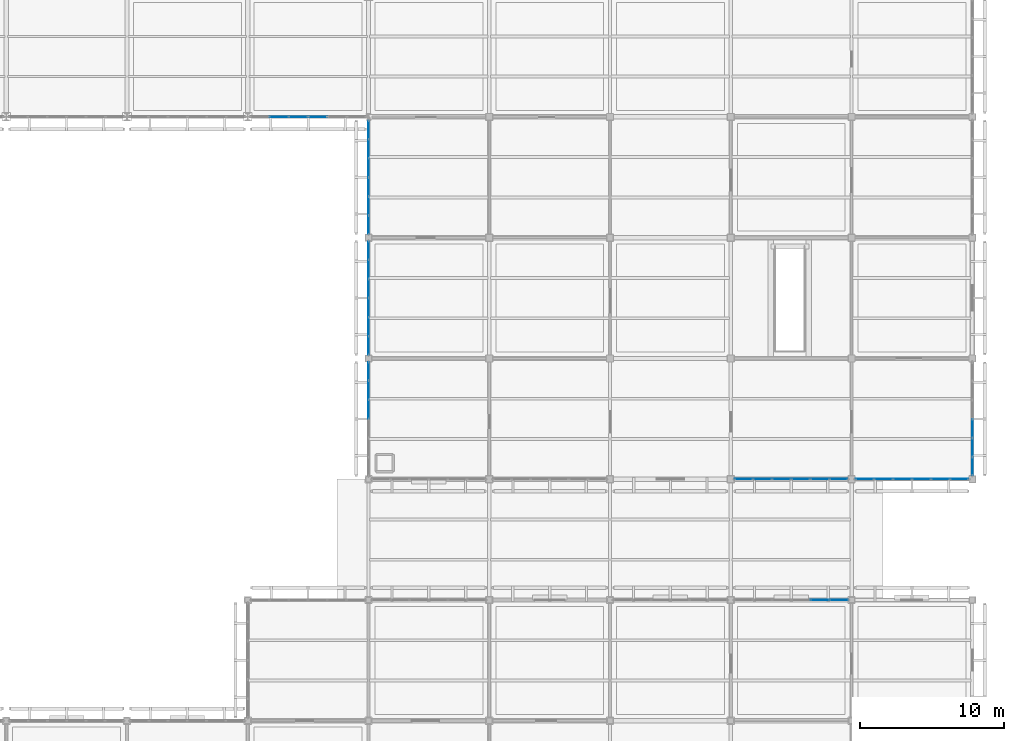
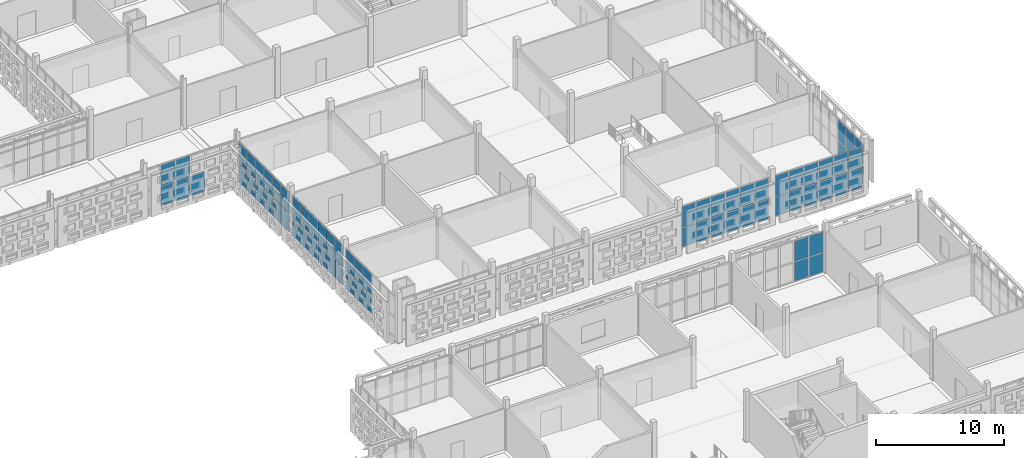
# One storey, part 105 of 203: 69 plates, 8 elements without a shape of their own.
"""IFC4 building model written with IfcOpenShell, lengths in metres."""

from ifc_helpers import new_model, si_unit, direction, frame, origin, origin_2d, place, context, subcontext, project, spatial, rectangle, extrude, material, layer, layer_set, type_object, element, aggregate, save


model = new_model("IFC4")

# Units and contexts
model_context = context("Model", 3, precision=1e-05, world=origin(), true_north=direction((0.0, 1.0)))
body_context = subcontext(model_context, "Body", "Model", "MODEL_VIEW")
ifc_project = project(units=[si_unit("LENGTHUNIT", "METRE"), si_unit("AREAUNIT", "SQUARE_METRE"), si_unit("VOLUMEUNIT", "CUBIC_METRE"), si_unit("PLANEANGLEUNIT", "RADIAN"), si_unit("MASSUNIT", "GRAM", prefix="KILO")], contexts=[model_context])

# Site, building, storey
site_placement = place(None, origin())
site = spatial("IfcSite", under=ifc_project, at=site_placement, CompositionType="ELEMENT")
building_placement = place(site_placement, origin())
building = spatial("IfcBuilding", under=site, at=building_placement, Name="Varnapada Polytechnic", CompositionType="ELEMENT")
storey_placement = place(building_placement, frame((0.0, 0.0, 4.800048828125)))
storey = spatial("IfcBuildingStorey", under=building, at=storey_placement, Name="L01", CompositionType="ELEMENT", Elevation=4.800048828125)

# Curtain wall, plates
ifc_material = material(Name="Double low-E laminated glass", Category="glass")
ifc_layer_1 = layer(ifc_material, 0.159912109375)
ifc_layer_set_1 = layer_set([ifc_layer_1], Name="Double low-E laminated glass")
curtain_wall_type_1 = type_object("IfcCurtainWallType", Name="Curtain Wall CW-01", PredefinedType="NOTDEFINED", material=ifc_layer_set_1)
curtain_wall_1_placement = place(storey_placement, origin())
curtain_wall_1 = element("IfcCurtainWall", 1, at=curtain_wall_1_placement, inside=storey, type_object=curtain_wall_type_1, Name="L01 unitised curtain wall CW-01 (96)", PredefinedType="NOTDEFINED")
ifc_layer_2 = layer(ifc_material, 0.028076171875)
ifc_layer_set_2 = layer_set([ifc_layer_2], Name="Double low-E laminated glass")
plate_type_1 = type_object("IfcPlateType", Name="Curtain Panel PNL-01", PredefinedType="CURTAIN_PANEL", material=ifc_layer_set_2)
plate_1_placement = place(storey_placement, frame((130.875, 84.0, 0.06005859375), z_axis=(0.0, 0.0, 1.0), x_axis=(-1.0, 0.0, 0.0)))
plate_1 = element("IfcPlate", 2, at=plate_1_placement, type_object=plate_type_1, Name="CW-01 panel 3.1", PredefinedType="CURTAIN_PANEL", context=body_context, shape_type="SweptSolid", body=[
    extrude(rectangle(XDim=1.2900390625, YDim=0.028076171875, at=origin_2d()), origin(), (0.0, 0.0, 1.0), 1.810791015625),
])
plate_2_placement = place(storey_placement, frame((129.52490234375, 84.0, 0.06005859375), z_axis=(0.0, 0.0, 1.0), x_axis=(-1.0, 0.0, 0.0)))
plate_2 = element("IfcPlate", 3, at=plate_2_placement, type_object=plate_type_1, Name="CW-01 panel 4.1", PredefinedType="CURTAIN_PANEL", context=body_context, shape_type="SweptSolid", body=[
    extrude(rectangle(XDim=1.2900390625, YDim=0.028076171875, at=origin_2d()), origin(), (0.0, 0.0, 1.0), 1.810791015625),
])
plate_3_placement = place(storey_placement, frame((129.52490234375, 84.0, 1.9306640625), z_axis=(0.0, 0.0, 1.0), x_axis=(-1.0, 0.0, 0.0)))
plate_3 = element("IfcPlate", 4, at=plate_3_placement, type_object=plate_type_1, Name="CW-01 panel 4.2", PredefinedType="CURTAIN_PANEL", context=body_context, shape_type="SweptSolid", body=[
    extrude(rectangle(XDim=1.2900390625, YDim=0.028076171875, at=origin_2d()), origin(), (0.0, 0.0, 1.0), 1.96923828125),
])
plate_4_placement = place(storey_placement, frame((128.175048828125, 84.0, 0.06005859375), z_axis=(0.0, 0.0, 1.0), x_axis=(-1.0, 0.0, 0.0)))
plate_4 = element("IfcPlate", 5, at=plate_4_placement, type_object=plate_type_1, Name="CW-01 panel 5.1", PredefinedType="CURTAIN_PANEL", context=body_context, shape_type="SweptSolid", body=[
    extrude(rectangle(XDim=1.2900390625, YDim=0.028076171875, at=origin_2d()), origin(), (0.0, 0.0, 1.0), 1.810791015625),
])
plate_5_placement = place(storey_placement, frame((128.175048828125, 84.0, 1.9306640625), z_axis=(0.0, 0.0, 1.0), x_axis=(-1.0, 0.0, 0.0)))
plate_5 = element("IfcPlate", 6, at=plate_5_placement, type_object=plate_type_1, Name="CW-01 panel 5.2", PredefinedType="CURTAIN_PANEL", context=body_context, shape_type="SweptSolid", body=[
    extrude(rectangle(XDim=1.2900390625, YDim=0.028076171875, at=origin_2d()), origin(), (0.0, 0.0, 1.0), 1.96923828125),
])
aggregate(curtain_wall_1, [plate_1, plate_2, plate_3, plate_4, plate_5])

curtain_wall_2_placement = place(storey_placement, origin())
curtain_wall_2 = element("IfcCurtainWall", 7, at=curtain_wall_2_placement, inside=storey, type_object=curtain_wall_type_1, Name="L01 unitised curtain wall CW-01 (102)", PredefinedType="NOTDEFINED")
plate_6_placement = place(storey_placement, frame((134.39990234375, 63.65673828125, 0.06005859375), z_axis=(0.0, 0.0, 1.0), x_axis=(0.0, 1.0, 0.0)))
plate_6 = element("IfcPlate", 8, at=plate_6_placement, type_object=plate_type_1, Name="CW-01 panel 4.1", PredefinedType="CURTAIN_PANEL", context=body_context, shape_type="SweptSolid", body=[
    extrude(rectangle(XDim=1.2734375, YDim=0.028076171875, at=origin_2d()), origin(), (0.0, 0.0, 1.0), 1.810791015625),
])
plate_7_placement = place(storey_placement, frame((134.39990234375, 63.65673828125, 1.9306640625), z_axis=(0.0, 0.0, 1.0), x_axis=(0.0, 1.0, 0.0)))
plate_7 = element("IfcPlate", 9, at=plate_7_placement, type_object=plate_type_1, Name="CW-01 panel 4.2", PredefinedType="CURTAIN_PANEL", context=body_context, shape_type="SweptSolid", body=[
    extrude(rectangle(XDim=1.2734375, YDim=0.028076171875, at=origin_2d()), origin(), (0.0, 0.0, 1.0), 1.96923828125),
])
plate_8_placement = place(storey_placement, frame((134.39990234375, 64.989990234375, 0.06005859375), z_axis=(0.0, 0.0, 1.0), x_axis=(0.0, 1.0, 0.0)))
plate_8 = element("IfcPlate", 10, at=plate_8_placement, type_object=plate_type_1, Name="CW-01 panel 5.1", PredefinedType="CURTAIN_PANEL", context=body_context, shape_type="SweptSolid", body=[
    extrude(rectangle(XDim=1.2734375, YDim=0.028076171875, at=origin_2d()), origin(), (0.0, 0.0, 1.0), 1.810791015625),
])
plate_9_placement = place(storey_placement, frame((134.39990234375, 64.989990234375, 1.9306640625), z_axis=(0.0, 0.0, 1.0), x_axis=(0.0, 1.0, 0.0)))
plate_9 = element("IfcPlate", 11, at=plate_9_placement, type_object=plate_type_1, Name="CW-01 panel 5.2", PredefinedType="CURTAIN_PANEL", context=body_context, shape_type="SweptSolid", body=[
    extrude(rectangle(XDim=1.2734375, YDim=0.028076171875, at=origin_2d()), origin(), (0.0, 0.0, 1.0), 1.96923828125),
])
plate_10_placement = place(storey_placement, frame((134.39990234375, 66.308349609375, 0.06005859375), z_axis=(0.0, 0.0, 1.0), x_axis=(0.0, 1.0, 0.0)))
plate_10 = element("IfcPlate", 12, at=plate_10_placement, type_object=plate_type_1, Name="CW-01 panel 6.1", PredefinedType="CURTAIN_PANEL", context=body_context, shape_type="SweptSolid", body=[
    extrude(rectangle(XDim=1.243408203125, YDim=0.028076171875, at=origin_2d()), origin(), (0.0, 0.0, 1.0), 1.810791015625),
])
plate_11_placement = place(storey_placement, frame((134.39990234375, 66.308349609375, 1.9306640625), z_axis=(0.0, 0.0, 1.0), x_axis=(0.0, 1.0, 0.0)))
plate_11 = element("IfcPlate", 13, at=plate_11_placement, type_object=plate_type_1, Name="CW-01 panel 6.2", PredefinedType="CURTAIN_PANEL", context=body_context, shape_type="SweptSolid", body=[
    extrude(rectangle(XDim=1.243408203125, YDim=0.028076171875, at=origin_2d()), origin(), (0.0, 0.0, 1.0), 1.96923828125),
])
aggregate(curtain_wall_2, [plate_6, plate_7, plate_8, plate_9, plate_10, plate_11])

curtain_wall_3_placement = place(storey_placement, origin())
curtain_wall_3 = element("IfcCurtainWall", 14, at=curtain_wall_3_placement, inside=storey, type_object=curtain_wall_type_1, Name="L01 unitised curtain wall CW-01 (103)", PredefinedType="NOTDEFINED")
plate_12_placement = place(storey_placement, frame((134.39990234375, 68.090087890625, 0.06005859375), z_axis=(0.0, 0.0, 1.0), x_axis=(0.0, 1.0, 0.0)))
plate_12 = element("IfcPlate", 15, at=plate_12_placement, type_object=plate_type_1, Name="CW-01 panel 1.1", PredefinedType="CURTAIN_PANEL", context=body_context, shape_type="SweptSolid", body=[
    extrude(rectangle(XDim=1.239990234375, YDim=0.028076171875, at=origin_2d()), origin(), (0.0, 0.0, 1.0), 1.810791015625),
])
plate_13_placement = place(storey_placement, frame((134.39990234375, 68.090087890625, 1.9306640625), z_axis=(0.0, 0.0, 1.0), x_axis=(0.0, 1.0, 0.0)))
plate_13 = element("IfcPlate", 16, at=plate_13_placement, type_object=plate_type_1, Name="CW-01 panel 1.2", PredefinedType="CURTAIN_PANEL", context=body_context, shape_type="SweptSolid", body=[
    extrude(rectangle(XDim=1.239990234375, YDim=0.028076171875, at=origin_2d()), origin(), (0.0, 0.0, 1.0), 1.96923828125),
])
plate_14_placement = place(storey_placement, frame((134.39990234375, 69.405029296875, 0.06005859375), z_axis=(0.0, 0.0, 1.0), x_axis=(0.0, 1.0, 0.0)))
plate_14 = element("IfcPlate", 17, at=plate_14_placement, type_object=plate_type_1, Name="CW-01 panel 2.1", PredefinedType="CURTAIN_PANEL", context=body_context, shape_type="SweptSolid", body=[
    extrude(rectangle(XDim=1.27001953125, YDim=0.028076171875, at=origin_2d()), origin(), (0.0, 0.0, 1.0), 1.810791015625),
])
plate_15_placement = place(storey_placement, frame((134.39990234375, 69.405029296875, 1.9306640625), z_axis=(0.0, 0.0, 1.0), x_axis=(0.0, 1.0, 0.0)))
plate_15 = element("IfcPlate", 18, at=plate_15_placement, type_object=plate_type_1, Name="CW-01 panel 2.2", PredefinedType="CURTAIN_PANEL", context=body_context, shape_type="SweptSolid", body=[
    extrude(rectangle(XDim=1.27001953125, YDim=0.028076171875, at=origin_2d()), origin(), (0.0, 0.0, 1.0), 1.96923828125),
])
plate_16_placement = place(storey_placement, frame((134.39990234375, 70.735107421875, 0.06005859375), z_axis=(0.0, 0.0, 1.0), x_axis=(0.0, 1.0, 0.0)))
plate_16 = element("IfcPlate", 19, at=plate_16_placement, type_object=plate_type_1, Name="CW-01 panel 3.1", PredefinedType="CURTAIN_PANEL", context=body_context, shape_type="SweptSolid", body=[
    extrude(rectangle(XDim=1.27001953125, YDim=0.028076171875, at=origin_2d()), origin(), (0.0, 0.0, 1.0), 1.810791015625),
])
plate_17_placement = place(storey_placement, frame((134.39990234375, 70.735107421875, 1.9306640625), z_axis=(0.0, 0.0, 1.0), x_axis=(0.0, 1.0, 0.0)))
plate_17 = element("IfcPlate", 20, at=plate_17_placement, type_object=plate_type_1, Name="CW-01 panel 3.2", PredefinedType="CURTAIN_PANEL", context=body_context, shape_type="SweptSolid", body=[
    extrude(rectangle(XDim=1.27001953125, YDim=0.028076171875, at=origin_2d()), origin(), (0.0, 0.0, 1.0), 1.96923828125),
])
plate_18_placement = place(storey_placement, frame((134.39990234375, 72.06494140625, 0.06005859375), z_axis=(0.0, 0.0, 1.0), x_axis=(0.0, 1.0, 0.0)))
plate_18 = element("IfcPlate", 21, at=plate_18_placement, type_object=plate_type_1, Name="CW-01 panel 4.1", PredefinedType="CURTAIN_PANEL", context=body_context, shape_type="SweptSolid", body=[
    extrude(rectangle(XDim=1.27001953125, YDim=0.028076171875, at=origin_2d()), origin(), (0.0, 0.0, 1.0), 1.810791015625),
])
plate_19_placement = place(storey_placement, frame((134.39990234375, 72.06494140625, 1.9306640625), z_axis=(0.0, 0.0, 1.0), x_axis=(0.0, 1.0, 0.0)))
plate_19 = element("IfcPlate", 22, at=plate_19_placement, type_object=plate_type_1, Name="CW-01 panel 4.2", PredefinedType="CURTAIN_PANEL", context=body_context, shape_type="SweptSolid", body=[
    extrude(rectangle(XDim=1.27001953125, YDim=0.028076171875, at=origin_2d()), origin(), (0.0, 0.0, 1.0), 1.96923828125),
])
plate_20_placement = place(storey_placement, frame((134.39990234375, 73.39501953125, 0.06005859375), z_axis=(0.0, 0.0, 1.0), x_axis=(0.0, 1.0, 0.0)))
plate_20 = element("IfcPlate", 23, at=plate_20_placement, type_object=plate_type_1, Name="CW-01 panel 5.1", PredefinedType="CURTAIN_PANEL", context=body_context, shape_type="SweptSolid", body=[
    extrude(rectangle(XDim=1.27001953125, YDim=0.028076171875, at=origin_2d()), origin(), (0.0, 0.0, 1.0), 1.810791015625),
])
plate_21_placement = place(storey_placement, frame((134.39990234375, 73.39501953125, 1.9306640625), z_axis=(0.0, 0.0, 1.0), x_axis=(0.0, 1.0, 0.0)))
plate_21 = element("IfcPlate", 24, at=plate_21_placement, type_object=plate_type_1, Name="CW-01 panel 5.2", PredefinedType="CURTAIN_PANEL", context=body_context, shape_type="SweptSolid", body=[
    extrude(rectangle(XDim=1.27001953125, YDim=0.028076171875, at=origin_2d()), origin(), (0.0, 0.0, 1.0), 1.96923828125),
])
plate_22_placement = place(storey_placement, frame((134.39990234375, 74.7099609375, 0.06005859375), z_axis=(0.0, 0.0, 1.0), x_axis=(0.0, 1.0, 0.0)))
plate_22 = element("IfcPlate", 25, at=plate_22_placement, type_object=plate_type_1, Name="CW-01 panel 6.1", PredefinedType="CURTAIN_PANEL", context=body_context, shape_type="SweptSolid", body=[
    extrude(rectangle(XDim=1.239990234375, YDim=0.028076171875, at=origin_2d()), origin(), (0.0, 0.0, 1.0), 1.810791015625),
])
plate_23_placement = place(storey_placement, frame((134.39990234375, 74.7099609375, 1.9306640625), z_axis=(0.0, 0.0, 1.0), x_axis=(0.0, 1.0, 0.0)))
plate_23 = element("IfcPlate", 26, at=plate_23_placement, type_object=plate_type_1, Name="CW-01 panel 6.2", PredefinedType="CURTAIN_PANEL", context=body_context, shape_type="SweptSolid", body=[
    extrude(rectangle(XDim=1.239990234375, YDim=0.028076171875, at=origin_2d()), origin(), (0.0, 0.0, 1.0), 1.96923828125),
])
aggregate(curtain_wall_3, [plate_12, plate_13, plate_14, plate_15, plate_16, plate_17, plate_18, plate_19, plate_20, plate_21, plate_22, plate_23])

curtain_wall_4_placement = place(storey_placement, origin())
curtain_wall_4 = element("IfcCurtainWall", 27, at=curtain_wall_4_placement, inside=storey, type_object=curtain_wall_type_1, Name="L01 unitised curtain wall CW-01 (104)", PredefinedType="NOTDEFINED")
plate_24_placement = place(storey_placement, frame((134.39990234375, 76.4892578125, 0.06005859375), z_axis=(0.0, 0.0, 1.0), x_axis=(0.0, 1.0, 0.0)))
plate_24 = element("IfcPlate", 28, at=plate_24_placement, type_object=plate_type_1, Name="CW-01 panel 1.1", PredefinedType="CURTAIN_PANEL", context=body_context, shape_type="SweptSolid", body=[
    extrude(rectangle(XDim=1.23828125, YDim=0.028076171875, at=origin_2d()), origin(), (0.0, 0.0, 1.0), 1.810791015625),
])
plate_25_placement = place(storey_placement, frame((134.39990234375, 76.4892578125, 1.9306640625), z_axis=(0.0, 0.0, 1.0), x_axis=(0.0, 1.0, 0.0)))
plate_25 = element("IfcPlate", 29, at=plate_25_placement, type_object=plate_type_1, Name="CW-01 panel 1.2", PredefinedType="CURTAIN_PANEL", context=body_context, shape_type="SweptSolid", body=[
    extrude(rectangle(XDim=1.23828125, YDim=0.028076171875, at=origin_2d()), origin(), (0.0, 0.0, 1.0), 1.96923828125),
])
plate_26_placement = place(storey_placement, frame((134.39990234375, 77.802490234375, 0.06005859375), z_axis=(0.0, 0.0, 1.0), x_axis=(0.0, 1.0, 0.0)))
plate_26 = element("IfcPlate", 30, at=plate_26_placement, type_object=plate_type_1, Name="CW-01 panel 2.1", PredefinedType="CURTAIN_PANEL", context=body_context, shape_type="SweptSolid", body=[
    extrude(rectangle(XDim=1.268310546875, YDim=0.028076171875, at=origin_2d()), origin(), (0.0, 0.0, 1.0), 1.810791015625),
])
plate_27_placement = place(storey_placement, frame((134.39990234375, 77.802490234375, 1.9306640625), z_axis=(0.0, 0.0, 1.0), x_axis=(0.0, 1.0, 0.0)))
plate_27 = element("IfcPlate", 31, at=plate_27_placement, type_object=plate_type_1, Name="CW-01 panel 2.2", PredefinedType="CURTAIN_PANEL", context=body_context, shape_type="SweptSolid", body=[
    extrude(rectangle(XDim=1.268310546875, YDim=0.028076171875, at=origin_2d()), origin(), (0.0, 0.0, 1.0), 1.96923828125),
])
plate_28_placement = place(storey_placement, frame((134.39990234375, 79.130859375, 0.06005859375), z_axis=(0.0, 0.0, 1.0), x_axis=(0.0, 1.0, 0.0)))
plate_28 = element("IfcPlate", 32, at=plate_28_placement, type_object=plate_type_1, Name="CW-01 panel 3.1", PredefinedType="CURTAIN_PANEL", context=body_context, shape_type="SweptSolid", body=[
    extrude(rectangle(XDim=1.268310546875, YDim=0.028076171875, at=origin_2d()), origin(), (0.0, 0.0, 1.0), 1.810791015625),
])
plate_29_placement = place(storey_placement, frame((134.39990234375, 79.130859375, 1.9306640625), z_axis=(0.0, 0.0, 1.0), x_axis=(0.0, 1.0, 0.0)))
plate_29 = element("IfcPlate", 33, at=plate_29_placement, type_object=plate_type_1, Name="CW-01 panel 3.2", PredefinedType="CURTAIN_PANEL", context=body_context, shape_type="SweptSolid", body=[
    extrude(rectangle(XDim=1.268310546875, YDim=0.028076171875, at=origin_2d()), origin(), (0.0, 0.0, 1.0), 1.96923828125),
])
plate_30_placement = place(storey_placement, frame((134.39990234375, 80.459228515625, 0.06005859375), z_axis=(0.0, 0.0, 1.0), x_axis=(0.0, 1.0, 0.0)))
plate_30 = element("IfcPlate", 34, at=plate_30_placement, type_object=plate_type_1, Name="CW-01 panel 4.1", PredefinedType="CURTAIN_PANEL", context=body_context, shape_type="SweptSolid", body=[
    extrude(rectangle(XDim=1.268310546875, YDim=0.028076171875, at=origin_2d()), origin(), (0.0, 0.0, 1.0), 1.810791015625),
])
plate_31_placement = place(storey_placement, frame((134.39990234375, 80.459228515625, 1.9306640625), z_axis=(0.0, 0.0, 1.0), x_axis=(0.0, 1.0, 0.0)))
plate_31 = element("IfcPlate", 35, at=plate_31_placement, type_object=plate_type_1, Name="CW-01 panel 4.2", PredefinedType="CURTAIN_PANEL", context=body_context, shape_type="SweptSolid", body=[
    extrude(rectangle(XDim=1.268310546875, YDim=0.028076171875, at=origin_2d()), origin(), (0.0, 0.0, 1.0), 1.96923828125),
])
plate_32_placement = place(storey_placement, frame((134.39990234375, 81.78759765625, 0.06005859375), z_axis=(0.0, 0.0, 1.0), x_axis=(0.0, 1.0, 0.0)))
plate_32 = element("IfcPlate", 36, at=plate_32_placement, type_object=plate_type_1, Name="CW-01 panel 5.1", PredefinedType="CURTAIN_PANEL", context=body_context, shape_type="SweptSolid", body=[
    extrude(rectangle(XDim=1.268310546875, YDim=0.028076171875, at=origin_2d()), origin(), (0.0, 0.0, 1.0), 1.810791015625),
])
plate_33_placement = place(storey_placement, frame((134.39990234375, 81.78759765625, 1.9306640625), z_axis=(0.0, 0.0, 1.0), x_axis=(0.0, 1.0, 0.0)))
plate_33 = element("IfcPlate", 37, at=plate_33_placement, type_object=plate_type_1, Name="CW-01 panel 5.2", PredefinedType="CURTAIN_PANEL", context=body_context, shape_type="SweptSolid", body=[
    extrude(rectangle(XDim=1.268310546875, YDim=0.028076171875, at=origin_2d()), origin(), (0.0, 0.0, 1.0), 1.96923828125),
])
plate_34_placement = place(storey_placement, frame((134.39990234375, 83.100830078125, 0.06005859375), z_axis=(0.0, 0.0, 1.0), x_axis=(0.0, 1.0, 0.0)))
plate_34 = element("IfcPlate", 38, at=plate_34_placement, type_object=plate_type_1, Name="CW-01 panel 6.1", PredefinedType="CURTAIN_PANEL", context=body_context, shape_type="SweptSolid", body=[
    extrude(rectangle(XDim=1.23828125, YDim=0.028076171875, at=origin_2d()), origin(), (0.0, 0.0, 1.0), 1.810791015625),
])
plate_35_placement = place(storey_placement, frame((134.39990234375, 83.100830078125, 1.9306640625), z_axis=(0.0, 0.0, 1.0), x_axis=(0.0, 1.0, 0.0)))
plate_35 = element("IfcPlate", 39, at=plate_35_placement, type_object=plate_type_1, Name="CW-01 panel 6.2", PredefinedType="CURTAIN_PANEL", context=body_context, shape_type="SweptSolid", body=[
    extrude(rectangle(XDim=1.23828125, YDim=0.028076171875, at=origin_2d()), origin(), (0.0, 0.0, 1.0), 1.96923828125),
])
aggregate(curtain_wall_4, [plate_24, plate_25, plate_26, plate_27, plate_28, plate_29, plate_30, plate_31, plate_32, plate_33, plate_34, plate_35])

ifc_layer_3 = layer(ifc_material, 0.179931640625)
ifc_layer_set_3 = layer_set([ifc_layer_3], Name="Double low-E laminated glass")
curtain_wall_type_2 = type_object("IfcCurtainWallType", Name="Curtain Wall CW-04", PredefinedType="NOTDEFINED", material=ifc_layer_set_3)
curtain_wall_5_placement = place(storey_placement, origin())
curtain_wall_5 = element("IfcCurtainWall", 40, at=curtain_wall_5_placement, inside=storey, type_object=curtain_wall_type_2, Name="L01 unitised curtain wall CW-04 (112)", PredefinedType="NOTDEFINED")
ifc_layer_4 = layer(ifc_material, 0.031982421875)
ifc_layer_set_4 = layer_set([ifc_layer_4], Name="Double low-E laminated glass")
plate_type_2 = type_object("IfcPlateType", Name="Curtain Panel PNL-02", PredefinedType="CURTAIN_PANEL", material=ifc_layer_set_4)
plate_36_placement = place(storey_placement, frame((165.8076171875, 50.39990234375, 0.06494140625), z_axis=(0.0, 0.0, 1.0), x_axis=(1.0, 0.0, 0.0)))
plate_36 = element("IfcPlate", 41, at=plate_36_placement, type_object=plate_type_2, Name="CW-04 panel 5.1", PredefinedType="CURTAIN_PANEL", context=body_context, shape_type="SweptSolid", body=[
    extrude(rectangle(XDim=1.27001953125, YDim=0.031982421875, at=origin_2d()), origin(), (0.0, 0.0, 1.0), 1.80322265625),
])
plate_37_placement = place(storey_placement, frame((165.8076171875, 50.39990234375, 1.93310546875), z_axis=(0.0, 0.0, 1.0), x_axis=(1.0, 0.0, 0.0)))
plate_37 = element("IfcPlate", 42, at=plate_37_placement, type_object=plate_type_2, Name="CW-04 panel 5.2", PredefinedType="CURTAIN_PANEL", context=body_context, shape_type="SweptSolid", body=[
    extrude(rectangle(XDim=1.27001953125, YDim=0.031982421875, at=origin_2d()), origin(), (0.0, 0.0, 1.0), 1.961669921875),
])
plate_38_placement = place(storey_placement, frame((167.126220703125, 50.39990234375, 0.06494140625), z_axis=(0.0, 0.0, 1.0), x_axis=(1.0, 0.0, 0.0)))
plate_38 = element("IfcPlate", 43, at=plate_38_placement, type_object=plate_type_2, Name="CW-04 panel 6.1", PredefinedType="CURTAIN_PANEL", context=body_context, shape_type="SweptSolid", body=[
    extrude(rectangle(XDim=1.237548828125, YDim=0.031982421875, at=origin_2d()), origin(), (0.0, 0.0, 1.0), 1.80322265625),
])
plate_39_placement = place(storey_placement, frame((167.126220703125, 50.39990234375, 1.93310546875), z_axis=(0.0, 0.0, 1.0), x_axis=(1.0, 0.0, 0.0)))
plate_39 = element("IfcPlate", 44, at=plate_39_placement, type_object=plate_type_2, Name="CW-04 panel 6.2", PredefinedType="CURTAIN_PANEL", context=body_context, shape_type="SweptSolid", body=[
    extrude(rectangle(XDim=1.237548828125, YDim=0.031982421875, at=origin_2d()), origin(), (0.0, 0.0, 1.0), 1.961669921875),
])
aggregate(curtain_wall_5, [plate_36, plate_37, plate_38, plate_39])

curtain_wall_6_placement = place(storey_placement, origin())
curtain_wall_6 = element("IfcCurtainWall", 45, at=curtain_wall_6_placement, inside=storey, type_object=curtain_wall_type_2, Name="L01 unitised curtain wall CW-04 (113)", PredefinedType="NOTDEFINED")
plate_40_placement = place(storey_placement, frame((167.100341796875, 58.800048828125, 0.06494140625), z_axis=(0.0, 0.0, 1.0), x_axis=(-1.0, 0.0, 0.0)))
plate_40 = element("IfcPlate", 46, at=plate_40_placement, type_object=plate_type_2, Name="CW-04 panel 1.1", PredefinedType="CURTAIN_PANEL", context=body_context, shape_type="SweptSolid", body=[
    extrude(rectangle(XDim=1.229248046875, YDim=0.031982421875, at=origin_2d()), origin(), (0.0, 0.0, 1.0), 1.80322265625),
])
plate_41_placement = place(storey_placement, frame((167.100341796875, 58.800048828125, 1.93310546875), z_axis=(0.0, 0.0, 1.0), x_axis=(-1.0, 0.0, 0.0)))
plate_41 = element("IfcPlate", 47, at=plate_41_placement, type_object=plate_type_2, Name="CW-04 panel 1.2", PredefinedType="CURTAIN_PANEL", context=body_context, shape_type="SweptSolid", body=[
    extrude(rectangle(XDim=1.229248046875, YDim=0.031982421875, at=origin_2d()), origin(), (0.0, 0.0, 1.0), 1.961669921875),
])
plate_42_placement = place(storey_placement, frame((165.7900390625, 58.800048828125, 0.06494140625), z_axis=(0.0, 0.0, 1.0), x_axis=(-1.0, 0.0, 0.0)))
plate_42 = element("IfcPlate", 48, at=plate_42_placement, type_object=plate_type_2, Name="CW-04 panel 2.1", PredefinedType="CURTAIN_PANEL", context=body_context, shape_type="SweptSolid", body=[
    extrude(rectangle(XDim=1.26171875, YDim=0.031982421875, at=origin_2d()), origin(), (0.0, 0.0, 1.0), 1.80322265625),
])
plate_43_placement = place(storey_placement, frame((165.7900390625, 58.800048828125, 1.93310546875), z_axis=(0.0, 0.0, 1.0), x_axis=(-1.0, 0.0, 0.0)))
plate_43 = element("IfcPlate", 49, at=plate_43_placement, type_object=plate_type_2, Name="CW-04 panel 2.2", PredefinedType="CURTAIN_PANEL", context=body_context, shape_type="SweptSolid", body=[
    extrude(rectangle(XDim=1.26171875, YDim=0.031982421875, at=origin_2d()), origin(), (0.0, 0.0, 1.0), 1.961669921875),
])
plate_44_placement = place(storey_placement, frame((164.46337890625, 58.800048828125, 0.06494140625), z_axis=(0.0, 0.0, 1.0), x_axis=(-1.0, 0.0, 0.0)))
plate_44 = element("IfcPlate", 50, at=plate_44_placement, type_object=plate_type_2, Name="CW-04 panel 3.1", PredefinedType="CURTAIN_PANEL", context=body_context, shape_type="SweptSolid", body=[
    extrude(rectangle(XDim=1.26171875, YDim=0.031982421875, at=origin_2d()), origin(), (0.0, 0.0, 1.0), 1.80322265625),
])
plate_45_placement = place(storey_placement, frame((164.46337890625, 58.800048828125, 1.93310546875), z_axis=(0.0, 0.0, 1.0), x_axis=(-1.0, 0.0, 0.0)))
plate_45 = element("IfcPlate", 51, at=plate_45_placement, type_object=plate_type_2, Name="CW-04 panel 3.2", PredefinedType="CURTAIN_PANEL", context=body_context, shape_type="SweptSolid", body=[
    extrude(rectangle(XDim=1.26171875, YDim=0.031982421875, at=origin_2d()), origin(), (0.0, 0.0, 1.0), 1.961669921875),
])
plate_46_placement = place(storey_placement, frame((163.13671875, 58.800048828125, 0.06494140625), z_axis=(0.0, 0.0, 1.0), x_axis=(-1.0, 0.0, 0.0)))
plate_46 = element("IfcPlate", 52, at=plate_46_placement, type_object=plate_type_2, Name="CW-04 panel 4.1", PredefinedType="CURTAIN_PANEL", context=body_context, shape_type="SweptSolid", body=[
    extrude(rectangle(XDim=1.26171875, YDim=0.031982421875, at=origin_2d()), origin(), (0.0, 0.0, 1.0), 1.80322265625),
])
plate_47_placement = place(storey_placement, frame((163.13671875, 58.800048828125, 1.93310546875), z_axis=(0.0, 0.0, 1.0), x_axis=(-1.0, 0.0, 0.0)))
plate_47 = element("IfcPlate", 53, at=plate_47_placement, type_object=plate_type_2, Name="CW-04 panel 4.2", PredefinedType="CURTAIN_PANEL", context=body_context, shape_type="SweptSolid", body=[
    extrude(rectangle(XDim=1.26171875, YDim=0.031982421875, at=origin_2d()), origin(), (0.0, 0.0, 1.0), 1.961669921875),
])
plate_48_placement = place(storey_placement, frame((161.81005859375, 58.800048828125, 0.06494140625), z_axis=(0.0, 0.0, 1.0), x_axis=(-1.0, 0.0, 0.0)))
plate_48 = element("IfcPlate", 54, at=plate_48_placement, type_object=plate_type_2, Name="CW-04 panel 5.1", PredefinedType="CURTAIN_PANEL", context=body_context, shape_type="SweptSolid", body=[
    extrude(rectangle(XDim=1.26171875, YDim=0.031982421875, at=origin_2d()), origin(), (0.0, 0.0, 1.0), 1.80322265625),
])
plate_49_placement = place(storey_placement, frame((161.81005859375, 58.800048828125, 1.93310546875), z_axis=(0.0, 0.0, 1.0), x_axis=(-1.0, 0.0, 0.0)))
plate_49 = element("IfcPlate", 55, at=plate_49_placement, type_object=plate_type_2, Name="CW-04 panel 5.2", PredefinedType="CURTAIN_PANEL", context=body_context, shape_type="SweptSolid", body=[
    extrude(rectangle(XDim=1.26171875, YDim=0.031982421875, at=origin_2d()), origin(), (0.0, 0.0, 1.0), 1.961669921875),
])
plate_50_placement = place(storey_placement, frame((160.49951171875, 58.800048828125, 0.06494140625), z_axis=(0.0, 0.0, 1.0), x_axis=(-1.0, 0.0, 0.0)))
plate_50 = element("IfcPlate", 56, at=plate_50_placement, type_object=plate_type_2, Name="CW-04 panel 6.1", PredefinedType="CURTAIN_PANEL", context=body_context, shape_type="SweptSolid", body=[
    extrude(rectangle(XDim=1.229248046875, YDim=0.031982421875, at=origin_2d()), origin(), (0.0, 0.0, 1.0), 1.80322265625),
])
plate_51_placement = place(storey_placement, frame((160.49951171875, 58.800048828125, 1.93310546875), z_axis=(0.0, 0.0, 1.0), x_axis=(-1.0, 0.0, 0.0)))
plate_51 = element("IfcPlate", 57, at=plate_51_placement, type_object=plate_type_2, Name="CW-04 panel 6.2", PredefinedType="CURTAIN_PANEL", context=body_context, shape_type="SweptSolid", body=[
    extrude(rectangle(XDim=1.229248046875, YDim=0.031982421875, at=origin_2d()), origin(), (0.0, 0.0, 1.0), 1.961669921875),
])
aggregate(curtain_wall_6, [plate_40, plate_41, plate_42, plate_43, plate_44, plate_45, plate_46, plate_47, plate_48, plate_49, plate_50, plate_51])

curtain_wall_7_placement = place(storey_placement, origin())
curtain_wall_7 = element("IfcCurtainWall", 58, at=curtain_wall_7_placement, inside=storey, type_object=curtain_wall_type_2, Name="L01 unitised curtain wall CW-04 (121)", PredefinedType="NOTDEFINED")
plate_52_placement = place(storey_placement, frame((175.50048828125, 58.800048828125, 0.06494140625), z_axis=(0.0, 0.0, 1.0), x_axis=(-1.0, 0.0, 0.0)))
plate_52 = element("IfcPlate", 59, at=plate_52_placement, type_object=plate_type_2, Name="CW-04 panel 1.1", PredefinedType="CURTAIN_PANEL", context=body_context, shape_type="SweptSolid", body=[
    extrude(rectangle(XDim=1.229248046875, YDim=0.031982421875, at=origin_2d()), origin(), (0.0, 0.0, 1.0), 1.80322265625),
])
plate_53_placement = place(storey_placement, frame((175.50048828125, 58.800048828125, 1.93310546875), z_axis=(0.0, 0.0, 1.0), x_axis=(-1.0, 0.0, 0.0)))
plate_53 = element("IfcPlate", 60, at=plate_53_placement, type_object=plate_type_2, Name="CW-04 panel 1.2", PredefinedType="CURTAIN_PANEL", context=body_context, shape_type="SweptSolid", body=[
    extrude(rectangle(XDim=1.229248046875, YDim=0.031982421875, at=origin_2d()), origin(), (0.0, 0.0, 1.0), 1.961669921875),
])
plate_54_placement = place(storey_placement, frame((174.18994140625, 58.800048828125, 0.06494140625), z_axis=(0.0, 0.0, 1.0), x_axis=(-1.0, 0.0, 0.0)))
plate_54 = element("IfcPlate", 61, at=plate_54_placement, type_object=plate_type_2, Name="CW-04 panel 2.1", PredefinedType="CURTAIN_PANEL", context=body_context, shape_type="SweptSolid", body=[
    extrude(rectangle(XDim=1.26171875, YDim=0.031982421875, at=origin_2d()), origin(), (0.0, 0.0, 1.0), 1.80322265625),
])
plate_55_placement = place(storey_placement, frame((174.18994140625, 58.800048828125, 1.93310546875), z_axis=(0.0, 0.0, 1.0), x_axis=(-1.0, 0.0, 0.0)))
plate_55 = element("IfcPlate", 62, at=plate_55_placement, type_object=plate_type_2, Name="CW-04 panel 2.2", PredefinedType="CURTAIN_PANEL", context=body_context, shape_type="SweptSolid", body=[
    extrude(rectangle(XDim=1.26171875, YDim=0.031982421875, at=origin_2d()), origin(), (0.0, 0.0, 1.0), 1.961669921875),
])
plate_56_placement = place(storey_placement, frame((172.86328125, 58.800048828125, 0.06494140625), z_axis=(0.0, 0.0, 1.0), x_axis=(-1.0, 0.0, 0.0)))
plate_56 = element("IfcPlate", 63, at=plate_56_placement, type_object=plate_type_2, Name="CW-04 panel 3.1", PredefinedType="CURTAIN_PANEL", context=body_context, shape_type="SweptSolid", body=[
    extrude(rectangle(XDim=1.26171875, YDim=0.031982421875, at=origin_2d()), origin(), (0.0, 0.0, 1.0), 1.80322265625),
])
plate_57_placement = place(storey_placement, frame((172.86328125, 58.800048828125, 1.93310546875), z_axis=(0.0, 0.0, 1.0), x_axis=(-1.0, 0.0, 0.0)))
plate_57 = element("IfcPlate", 64, at=plate_57_placement, type_object=plate_type_2, Name="CW-04 panel 3.2", PredefinedType="CURTAIN_PANEL", context=body_context, shape_type="SweptSolid", body=[
    extrude(rectangle(XDim=1.26171875, YDim=0.031982421875, at=origin_2d()), origin(), (0.0, 0.0, 1.0), 1.961669921875),
])
plate_58_placement = place(storey_placement, frame((171.53662109375, 58.800048828125, 0.06494140625), z_axis=(0.0, 0.0, 1.0), x_axis=(-1.0, 0.0, 0.0)))
plate_58 = element("IfcPlate", 65, at=plate_58_placement, type_object=plate_type_2, Name="CW-04 panel 4.1", PredefinedType="CURTAIN_PANEL", context=body_context, shape_type="SweptSolid", body=[
    extrude(rectangle(XDim=1.26171875, YDim=0.031982421875, at=origin_2d()), origin(), (0.0, 0.0, 1.0), 1.80322265625),
])
plate_59_placement = place(storey_placement, frame((171.53662109375, 58.800048828125, 1.93310546875), z_axis=(0.0, 0.0, 1.0), x_axis=(-1.0, 0.0, 0.0)))
plate_59 = element("IfcPlate", 66, at=plate_59_placement, type_object=plate_type_2, Name="CW-04 panel 4.2", PredefinedType="CURTAIN_PANEL", context=body_context, shape_type="SweptSolid", body=[
    extrude(rectangle(XDim=1.26171875, YDim=0.031982421875, at=origin_2d()), origin(), (0.0, 0.0, 1.0), 1.961669921875),
])
plate_60_placement = place(storey_placement, frame((170.2099609375, 58.800048828125, 0.06494140625), z_axis=(0.0, 0.0, 1.0), x_axis=(-1.0, 0.0, 0.0)))
plate_60 = element("IfcPlate", 67, at=plate_60_placement, type_object=plate_type_2, Name="CW-04 panel 5.1", PredefinedType="CURTAIN_PANEL", context=body_context, shape_type="SweptSolid", body=[
    extrude(rectangle(XDim=1.26171875, YDim=0.031982421875, at=origin_2d()), origin(), (0.0, 0.0, 1.0), 1.80322265625),
])
plate_61_placement = place(storey_placement, frame((170.2099609375, 58.800048828125, 1.93310546875), z_axis=(0.0, 0.0, 1.0), x_axis=(-1.0, 0.0, 0.0)))
plate_61 = element("IfcPlate", 68, at=plate_61_placement, type_object=plate_type_2, Name="CW-04 panel 5.2", PredefinedType="CURTAIN_PANEL", context=body_context, shape_type="SweptSolid", body=[
    extrude(rectangle(XDim=1.26171875, YDim=0.031982421875, at=origin_2d()), origin(), (0.0, 0.0, 1.0), 1.961669921875),
])
plate_62_placement = place(storey_placement, frame((168.899658203125, 58.800048828125, 0.06494140625), z_axis=(0.0, 0.0, 1.0), x_axis=(-1.0, 0.0, 0.0)))
plate_62 = element("IfcPlate", 69, at=plate_62_placement, type_object=plate_type_2, Name="CW-04 panel 6.1", PredefinedType="CURTAIN_PANEL", context=body_context, shape_type="SweptSolid", body=[
    extrude(rectangle(XDim=1.229248046875, YDim=0.031982421875, at=origin_2d()), origin(), (0.0, 0.0, 1.0), 1.80322265625),
])
plate_63_placement = place(storey_placement, frame((168.899658203125, 58.800048828125, 1.93310546875), z_axis=(0.0, 0.0, 1.0), x_axis=(-1.0, 0.0, 0.0)))
plate_63 = element("IfcPlate", 70, at=plate_63_placement, type_object=plate_type_2, Name="CW-04 panel 6.2", PredefinedType="CURTAIN_PANEL", context=body_context, shape_type="SweptSolid", body=[
    extrude(rectangle(XDim=1.229248046875, YDim=0.031982421875, at=origin_2d()), origin(), (0.0, 0.0, 1.0), 1.961669921875),
])
aggregate(curtain_wall_7, [plate_52, plate_53, plate_54, plate_55, plate_56, plate_57, plate_58, plate_59, plate_60, plate_61, plate_62, plate_63])

curtain_wall_8_placement = place(storey_placement, origin())
curtain_wall_8 = element("IfcCurtainWall", 71, at=curtain_wall_8_placement, inside=storey, type_object=curtain_wall_type_2, Name="L01 unitised curtain wall CW-04 (122)", PredefinedType="NOTDEFINED")
plate_64_placement = place(storey_placement, frame((176.39990234375, 62.33251953125, 0.06494140625), z_axis=(0.0, 0.0, 1.0), x_axis=(0.0, -1.0, 0.0)))
plate_64 = element("IfcPlate", 72, at=plate_64_placement, type_object=plate_type_2, Name="CW-04 panel 4.1", PredefinedType="CURTAIN_PANEL", context=body_context, shape_type="SweptSolid", body=[
    extrude(rectangle(XDim=1.260009765625, YDim=0.031982421875, at=origin_2d()), origin(), (0.0, 0.0, 1.0), 1.80322265625),
])
plate_65_placement = place(storey_placement, frame((176.39990234375, 62.33251953125, 1.93310546875), z_axis=(0.0, 0.0, 1.0), x_axis=(0.0, -1.0, 0.0)))
plate_65 = element("IfcPlate", 73, at=plate_65_placement, type_object=plate_type_2, Name="CW-04 panel 4.2", PredefinedType="CURTAIN_PANEL", context=body_context, shape_type="SweptSolid", body=[
    extrude(rectangle(XDim=1.260009765625, YDim=0.031982421875, at=origin_2d()), origin(), (0.0, 0.0, 1.0), 1.961669921875),
])
plate_66_placement = place(storey_placement, frame((176.39990234375, 61.007568359375, 0.06494140625), z_axis=(0.0, 0.0, 1.0), x_axis=(0.0, -1.0, 0.0)))
plate_66 = element("IfcPlate", 74, at=plate_66_placement, type_object=plate_type_2, Name="CW-04 panel 5.1", PredefinedType="CURTAIN_PANEL", context=body_context, shape_type="SweptSolid", body=[
    extrude(rectangle(XDim=1.260009765625, YDim=0.031982421875, at=origin_2d()), origin(), (0.0, 0.0, 1.0), 1.80322265625),
])
plate_67_placement = place(storey_placement, frame((176.39990234375, 61.007568359375, 1.93310546875), z_axis=(0.0, 0.0, 1.0), x_axis=(0.0, -1.0, 0.0)))
plate_67 = element("IfcPlate", 75, at=plate_67_placement, type_object=plate_type_2, Name="CW-04 panel 5.2", PredefinedType="CURTAIN_PANEL", context=body_context, shape_type="SweptSolid", body=[
    extrude(rectangle(XDim=1.260009765625, YDim=0.031982421875, at=origin_2d()), origin(), (0.0, 0.0, 1.0), 1.961669921875),
])
plate_68_placement = place(storey_placement, frame((176.39990234375, 59.69873046875, 0.06494140625), z_axis=(0.0, 0.0, 1.0), x_axis=(0.0, -1.0, 0.0)))
plate_68 = element("IfcPlate", 76, at=plate_68_placement, type_object=plate_type_2, Name="CW-04 panel 6.1", PredefinedType="CURTAIN_PANEL", context=body_context, shape_type="SweptSolid", body=[
    extrude(rectangle(XDim=1.2275390625, YDim=0.031982421875, at=origin_2d()), origin(), (0.0, 0.0, 1.0), 1.80322265625),
])
plate_69_placement = place(storey_placement, frame((176.39990234375, 59.69873046875, 1.93310546875), z_axis=(0.0, 0.0, 1.0), x_axis=(0.0, -1.0, 0.0)))
plate_69 = element("IfcPlate", 77, at=plate_69_placement, type_object=plate_type_2, Name="CW-04 panel 6.2", PredefinedType="CURTAIN_PANEL", context=body_context, shape_type="SweptSolid", body=[
    extrude(rectangle(XDim=1.2275390625, YDim=0.031982421875, at=origin_2d()), origin(), (0.0, 0.0, 1.0), 1.961669921875),
])
aggregate(curtain_wall_8, [plate_64, plate_65, plate_66, plate_67, plate_68, plate_69])

save(model, "model.ifc")
